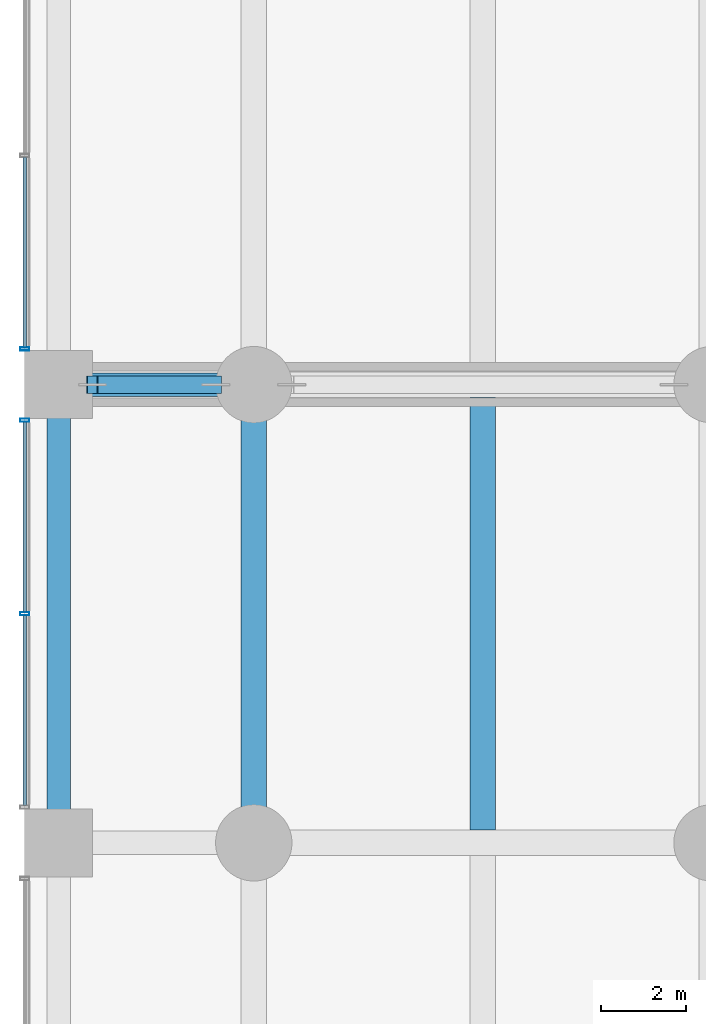
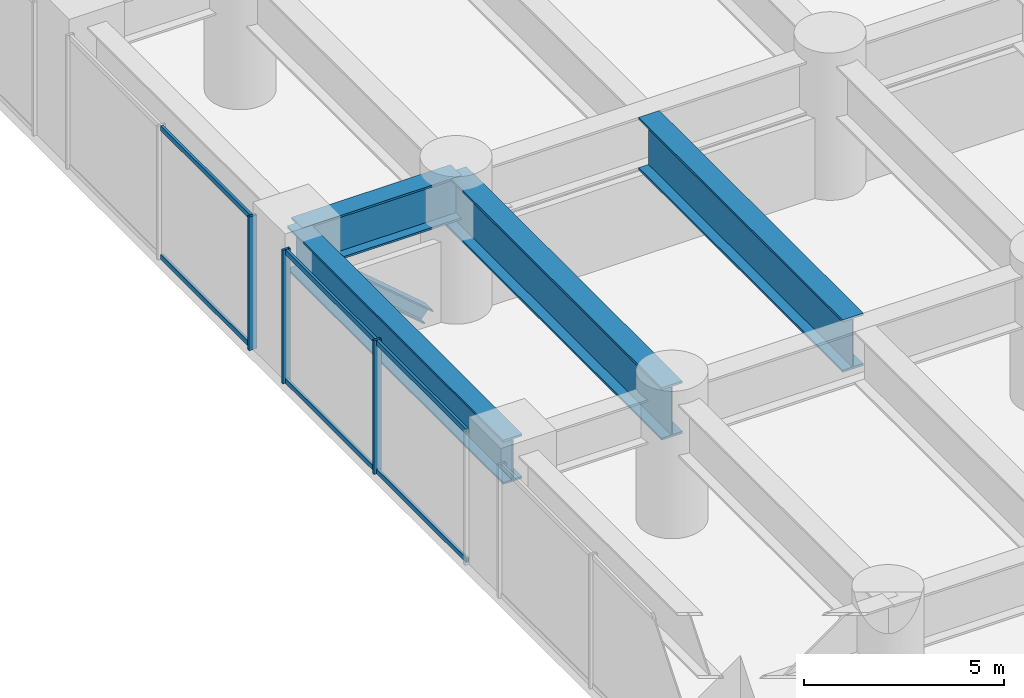
# One storey, part 6 of 37: 10 members, 4 beams, 2 elements without a shape of their own.
"""IFC4 building model written with IfcOpenShell, lengths in metres."""

from ifc_helpers import new_model, si_unit, direction, frame, origin, origin_2d, place, context, subcontext, project, spatial, hollow_rectangle, i_section, extrude, material, layer, layer_set, material_profile, profile_set, type_object, element, aggregate, save


model = new_model("IFC4")

# Units and contexts
model_context = context("Model", 3, precision=1e-05, world=origin(), true_north=direction((0.0, 1.0)))
body_context = subcontext(model_context, "Body", "Model", "MODEL_VIEW")
ifc_project = project(units=[si_unit("LENGTHUNIT", "METRE"), si_unit("AREAUNIT", "SQUARE_METRE"), si_unit("VOLUMEUNIT", "CUBIC_METRE"), si_unit("PLANEANGLEUNIT", "RADIAN"), si_unit("MASSUNIT", "GRAM", prefix="KILO")], contexts=[model_context])

# Site, building, storey
site_placement = place(None, origin())
site = spatial("IfcSite", under=ifc_project, at=site_placement, CompositionType="ELEMENT")
building_placement = place(site_placement, origin())
building = spatial("IfcBuilding", under=site, at=building_placement, Name="Surkhivell Harbour Commons", CompositionType="ELEMENT")
storey_placement = place(building_placement, frame((0.0, 0.0, 18.0)))
storey = spatial("IfcBuildingStorey", under=building, at=storey_placement, Name="L04", CompositionType="ELEMENT", Elevation=18.0)

# Beams
ifc_material_1 = material(Name="Steel S460", Category="steel")
ifc_material_profile_1 = material_profile(ifc_material_1, i_section(OverallWidth=0.550048828125, OverallDepth=1.35009765625, WebThickness=0.031982421875, FlangeThickness=0.06005859375, at=origin_2d()), Name="WPG1350x550x248")
ifc_profile_set_1 = profile_set([ifc_material_profile_1], Name="Steel S460")
beam_type_1 = type_object("IfcBeamType", Name="BM-TRF-1350", PredefinedType="BEAM", material=ifc_profile_set_1)
beam_1_placement = place(storey_placement, frame((-37.0, -10.800048828125, 3.405029296875), z_axis=(0.0, 1.0, 0.0), x_axis=(-1.0, 0.0, 0.0)))
element("IfcBeam", 1, at=beam_1_placement, inside=storey, type_object=beam_type_1, Name="L04 Transfer Girder (-37.0,-10.8)", PredefinedType="BEAM", context=body_context, shape_type="SweptSolid", body=[
    extrude(i_section(OverallWidth=0.550048828125, OverallDepth=1.35009765625, WebThickness=0.031982421875, FlangeThickness=0.06005859375, at=origin_2d()), origin(), (0.0, 0.0, 1.0), 10.800048828125),
])
beam_2_placement = place(storey_placement, frame((-37.0, 0.0, 3.405029296875), z_axis=(1.0, 0.0, 0.0), x_axis=(0.0, 1.0, 0.0)))
element("IfcBeam", 2, at=beam_2_placement, inside=storey, type_object=beam_type_1, Name="L04 Transfer Girder (-37.0,0.0)", PredefinedType="BEAM", context=body_context, shape_type="SweptSolid", body=[
    extrude(i_section(OverallWidth=0.550048828125, OverallDepth=1.35009765625, WebThickness=0.031982421875, FlangeThickness=0.06005859375, at=origin_2d()), origin(), (0.0, 0.0, 1.0), 4.60009765625),
])
ifc_material_profile_2 = material_profile(ifc_material_1, i_section(OverallWidth=0.60009765625, OverallDepth=1.60009765625, WebThickness=0.035888671875, FlangeThickness=0.06494140625, at=origin_2d()), Name="WPG1600x600x296")
ifc_profile_set_2 = profile_set([ifc_material_profile_2], Name="Steel S460")
beam_type_2 = type_object("IfcBeamType", Name="BM-TRF-1600", PredefinedType="BEAM", material=ifc_profile_set_2)
beam_3_placement = place(storey_placement, frame((-32.39990234375, -10.800048828125, 3.280029296875), z_axis=(0.0, 1.0, 0.0), x_axis=(-1.0, 0.0, 0.0)))
element("IfcBeam", 3, at=beam_3_placement, inside=storey, type_object=beam_type_2, Name="L04 Transfer Girder (-32.4,-10.8)", PredefinedType="BEAM", context=body_context, shape_type="SweptSolid", body=[
    extrude(i_section(OverallWidth=0.60009765625, OverallDepth=1.60009765625, WebThickness=0.035888671875, FlangeThickness=0.06494140625, at=origin_2d()), origin(), (0.0, 0.0, 1.0), 10.800048828125),
])
beam_4_placement = place(storey_placement, frame((-27.0, -10.501953125, 3.280029296875), z_axis=(0.0, 1.0, 0.0), x_axis=(-1.0, 0.0, 0.0)))
element("IfcBeam", 4, at=beam_4_placement, inside=storey, type_object=beam_type_2, Name="L04 Secondary Transfer Girder (-27.0,-10.8)", PredefinedType="BEAM", context=body_context, shape_type="SweptSolid", body=[
    extrude(i_section(OverallWidth=0.60009765625, OverallDepth=1.60009765625, WebThickness=0.035888671875, FlangeThickness=0.06494140625, at=origin_2d()), origin(), (0.0, 0.0, 1.0), 10.203857421875),
])

# Curtain wall, members
ifc_material_2 = material(Name="Anodised pale-metal aluminium and insulated glazing", Category="aluminium")
ifc_layer = layer(ifc_material_2, 0.239990234375)
ifc_layer_set = layer_set([ifc_layer], Name="Anodised pale-metal aluminium and insulated glazing")
curtain_wall_type = type_object("IfcCurtainWallType", Name="CW-SYS-POD", PredefinedType="NOTDEFINED", material=ifc_layer_set)
curtain_wall_1_placement = place(storey_placement, origin())
curtain_wall_1 = element("IfcCurtainWall", 5, at=curtain_wall_1_placement, inside=storey, type_object=curtain_wall_type, Name="L04 Curtain Wall CW-L04-W3", PredefinedType="NOTDEFINED")
ifc_material_3 = material(Name="Anodised pale-metal aluminium alloy 6063-T6", Category="aluminium")
ifc_material_profile_3 = material_profile(ifc_material_3, hollow_rectangle(XDim=0.074951171875, YDim=0.219970703125, WallThickness=0.00390625, at=origin_2d()), Name="ALU-MULL-75x220")
ifc_profile_set_3 = profile_set([ifc_material_profile_3], Name="Anodised pale-metal aluminium alloy 6063-T6")
member_type_1 = type_object("IfcMemberType", Name="CWM-220", PredefinedType="MULLION", material=ifc_profile_set_3)
member_1_placement = place(storey_placement, frame((-37.800048828125, -5.39990234375, 0.0), z_axis=(0.0, 0.0, 1.0), x_axis=(0.0, 1.0, 0.0)))
member_1 = element("IfcMember", 6, at=member_1_placement, type_object=member_type_1, Name="CW-POD mullion 2", PredefinedType="MULLION", context=body_context, shape_type="SweptSolid", body=[
    extrude(hollow_rectangle(XDim=0.074951171875, YDim=0.219970703125, WallThickness=0.00390625, at=origin_2d()), origin(), (0.0, 0.0, 1.0), 4.080078125),
])
member_2_placement = place(storey_placement, frame((-37.800048828125, -0.839599609375, 0.0), z_axis=(0.0, 0.0, 1.0), x_axis=(0.0, 1.0, 0.0)))
member_2 = element("IfcMember", 7, at=member_2_placement, type_object=member_type_1, Name="CW-POD mullion 3", PredefinedType="MULLION", context=body_context, shape_type="SweptSolid", body=[
    extrude(hollow_rectangle(XDim=0.074951171875, YDim=0.219970703125, WallThickness=0.00390625, at=origin_2d()), origin(), (0.0, 0.0, 1.0), 4.080078125),
])

# Curtain wall, member
curtain_wall_2_placement = place(storey_placement, origin())
curtain_wall_2 = element("IfcCurtainWall", 8, at=curtain_wall_2_placement, inside=storey, type_object=curtain_wall_type, Name="L04 Curtain Wall CW-L04-W4", PredefinedType="NOTDEFINED")
member_3_placement = place(storey_placement, frame((-37.800048828125, 0.839599609375, 0.0), z_axis=(0.0, 0.0, 1.0), x_axis=(0.0, 1.0, 0.0)))
member_3 = element("IfcMember", 9, at=member_3_placement, type_object=member_type_1, Name="CW-POD mullion 1", PredefinedType="MULLION", context=body_context, shape_type="SweptSolid", body=[
    extrude(hollow_rectangle(XDim=0.074951171875, YDim=0.219970703125, WallThickness=0.00390625, at=origin_2d()), origin(), (0.0, 0.0, 1.0), 4.080078125),
])

# Member
ifc_material_profile_4 = material_profile(ifc_material_3, hollow_rectangle(XDim=0.074951171875, YDim=0.14990234375, WallThickness=0.00341796875, at=origin_2d()), Name="ALU-TRAN-75x150")
ifc_profile_set_4 = profile_set([ifc_material_profile_4], Name="Anodised pale-metal aluminium alloy 6063-T6")
member_type_2 = type_object("IfcMemberType", Name="CWT-150", PredefinedType="USERDEFINED", material=ifc_profile_set_4)
member_4_placement = place(storey_placement, frame((-37.800048828125, -9.923095703125, 0.074951171875), z_axis=(0.0, 1.0, 0.0), x_axis=(-1.0, 0.0, 0.0)))
member_4 = element("IfcMember", 10, at=member_4_placement, type_object=member_type_2, Name="CW-POD transom 1.1", ObjectType="TRANSOM", PredefinedType="USERDEFINED", context=body_context, shape_type="SweptSolid", body=[
    extrude(hollow_rectangle(XDim=0.074951171875, YDim=0.14990234375, WallThickness=0.00341796875, at=origin_2d()), origin(), (0.0, 0.0, 1.0), 4.485595703125),
])

member_5_placement = place(storey_placement, frame((-37.800048828125, -9.923095703125, 4.0048828125), z_axis=(0.0, 1.0, 0.0), x_axis=(-1.0, 0.0, 0.0)))
member_5 = element("IfcMember", 11, at=member_5_placement, type_object=member_type_2, Name="CW-POD transom 1.2", ObjectType="TRANSOM", PredefinedType="USERDEFINED", context=body_context, shape_type="SweptSolid", body=[
    extrude(hollow_rectangle(XDim=0.074951171875, YDim=0.14990234375, WallThickness=0.00341796875, at=origin_2d()), origin(), (0.0, 0.0, 1.0), 4.485595703125),
])

member_6_placement = place(storey_placement, frame((-37.800048828125, -5.362548828125, 0.074951171875), z_axis=(0.0, 1.0, 0.0), x_axis=(-1.0, 0.0, 0.0)))
member_6 = element("IfcMember", 12, at=member_6_placement, type_object=member_type_2, Name="CW-POD transom 2.1", ObjectType="TRANSOM", PredefinedType="USERDEFINED", context=body_context, shape_type="SweptSolid", body=[
    extrude(hollow_rectangle(XDim=0.074951171875, YDim=0.14990234375, WallThickness=0.00341796875, at=origin_2d()), origin(), (0.0, 0.0, 1.0), 4.485595703125),
])

member_7_placement = place(storey_placement, frame((-37.800048828125, -5.362548828125, 4.0048828125), z_axis=(0.0, 1.0, 0.0), x_axis=(-1.0, 0.0, 0.0)))
member_7 = element("IfcMember", 13, at=member_7_placement, type_object=member_type_2, Name="CW-POD transom 2.2", ObjectType="TRANSOM", PredefinedType="USERDEFINED", context=body_context, shape_type="SweptSolid", body=[
    extrude(hollow_rectangle(XDim=0.074951171875, YDim=0.14990234375, WallThickness=0.00341796875, at=origin_2d()), origin(), (0.0, 0.0, 1.0), 4.485595703125),
])

aggregate(curtain_wall_1, [member_1, member_2, member_4, member_5, member_6, member_7])

member_8_placement = place(storey_placement, frame((-37.800048828125, 0.876953125, 0.074951171875), z_axis=(0.0, 1.0, 0.0), x_axis=(-1.0, 0.0, 0.0)))
member_8 = element("IfcMember", 14, at=member_8_placement, type_object=member_type_2, Name="CW-POD transom 1.1", ObjectType="TRANSOM", PredefinedType="USERDEFINED", context=body_context, shape_type="SweptSolid", body=[
    extrude(hollow_rectangle(XDim=0.074951171875, YDim=0.14990234375, WallThickness=0.00341796875, at=origin_2d()), origin(), (0.0, 0.0, 1.0), 4.485595703125),
])

member_9_placement = place(storey_placement, frame((-37.800048828125, 0.876953125, 4.0048828125), z_axis=(0.0, 1.0, 0.0), x_axis=(-1.0, 0.0, 0.0)))
member_9 = element("IfcMember", 15, at=member_9_placement, type_object=member_type_2, Name="CW-POD transom 1.2", ObjectType="TRANSOM", PredefinedType="USERDEFINED", context=body_context, shape_type="SweptSolid", body=[
    extrude(hollow_rectangle(XDim=0.074951171875, YDim=0.14990234375, WallThickness=0.00341796875, at=origin_2d()), origin(), (0.0, 0.0, 1.0), 4.485595703125),
])

aggregate(curtain_wall_2, [member_3, member_8, member_9])

ifc_material_profile_5 = material_profile(ifc_material_1, i_section(OverallWidth=0.406005859375, OverallDepth=0.416015625, WebThickness=0.026611328125, FlangeThickness=0.0390625, at=origin_2d()), Name="HD400x382")
ifc_profile_set_5 = profile_set([ifc_material_profile_5], Name="Steel S460")
member_type_3 = type_object("IfcMemberType", Name="MEM-BRC-HD382", PredefinedType="BRACE", material=ifc_profile_set_5)
member_10_placement = place(storey_placement, frame((-33.2958984375, 0.0, 0.010009765625), z_axis=(-0.759612092989, 0.0, 0.650376405003), x_axis=(0.0, -1.0, 0.0)))
element("IfcMember", 16, at=member_10_placement, inside=storey, type_object=member_type_3, Name="L04 Transfer Truss Diagonal TD-04", PredefinedType="BRACE", context=body_context, shape_type="SweptSolid", body=[
    extrude(i_section(OverallWidth=0.406005859375, OverallDepth=0.416015625, WebThickness=0.026611328125, FlangeThickness=0.0390625, at=origin_2d()), origin(), (0.0, 0.0, 1.0), 3.82861328125),
])

save(model, "model.ifc")
